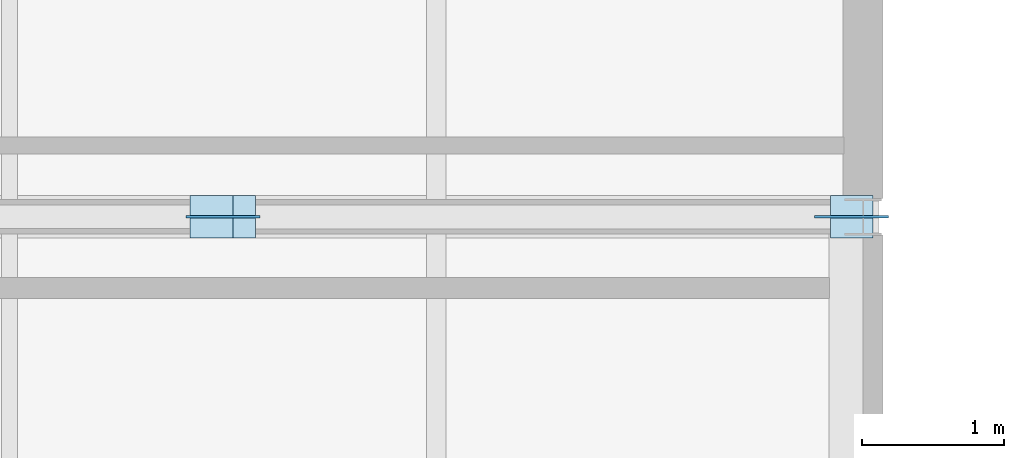
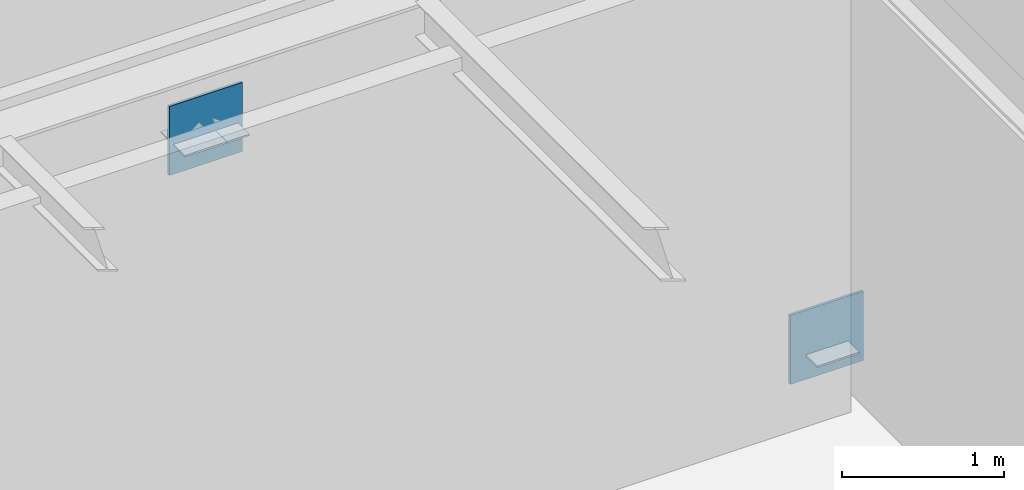
# One storey, part 10 of 16: 5 plates.
"""IFC4 building model written with IfcOpenShell, lengths in metres."""

from ifc_helpers import new_model, si_unit, direction, frame, origin, origin_2d, place, context, subcontext, project, spatial, rectangle, extrude, material, layer, layer_set, type_object, element, save


model = new_model("IFC4")

# Units and contexts
model_context = context("Model", 3, precision=1e-05, world=origin(), true_north=direction((0.0, 1.0)))
body_context = subcontext(model_context, "Body", "Model", "MODEL_VIEW")
ifc_project = project(units=[si_unit("LENGTHUNIT", "METRE"), si_unit("AREAUNIT", "SQUARE_METRE"), si_unit("VOLUMEUNIT", "CUBIC_METRE"), si_unit("PLANEANGLEUNIT", "RADIAN"), si_unit("MASSUNIT", "GRAM", prefix="KILO")], contexts=[model_context])

# Site, building, storey
site_placement = place(None, origin())
site = spatial("IfcSite", under=ifc_project, at=site_placement, CompositionType="ELEMENT")
building_placement = place(site_placement, origin())
building = spatial("IfcBuilding", under=site, at=building_placement, Name="Montelvaro Courts of Justice", CompositionType="ELEMENT")
storey_placement = place(building_placement, frame((0.0, 0.0, 35.39990234375)))
storey = spatial("IfcBuildingStorey", under=building, at=storey_placement, Name="L08", CompositionType="ELEMENT", Elevation=35.39990234375)

# Plates
ifc_material = material(Name="Steel S355", Category="steel")
ifc_layer_1 = layer(ifc_material, 0.011962890625)
ifc_layer_set_1 = layer_set([ifc_layer_1], Name="Steel S355")
plate_type_1 = type_object("IfcPlateType", Name="EndCapPlate_12", PredefinedType="USERDEFINED", material=ifc_layer_set_1)
for number, where, z_axis, x_axis, name in (
    (1, (121.419921875, 12.0, 3.23388671875), (0.0, 0.0, 1.0), (1.0, 0.0, 0.0), "Brace End Cap Plate CP-01 CBF2-L08-1B"),
    (2, (125.919921875, 12.0, 0.07421875), (0.0, 0.0, 1.0), (1.0, 0.0, 0.0), "Brace End Cap Plate CP-01 CBF2-L08-2A"),
    (3, (121.580078125, 12.0, 3.23388671875), (0.0, 0.0, 1.0), (1.0, 0.0, 0.0), "Brace End Cap Plate CP-01 CBF2-L08-2B"),
):
    element("IfcPlate", number, at=place(storey_placement, frame(where, z_axis=z_axis, x_axis=x_axis)), inside=storey, type_object=plate_type_1, Name=name, ObjectType="GUSSET PLATE", PredefinedType="USERDEFINED", context=body_context, shape_type="SweptSolid", body=[
        extrude(rectangle(XDim=0.300048828125, YDim=0.300048828125, at=origin_2d()), origin(), (0.0, 0.0, 1.0), 0.011962890625),
    ])
ifc_layer_2 = layer(ifc_material, 0.02001953125)
ifc_layer_set_2 = layer_set([ifc_layer_2], Name="Steel S355")
plate_type_2 = type_object("IfcPlateType", Name="GussetPlate_20", PredefinedType="USERDEFINED", material=ifc_layer_set_2)
for number, where, z_axis, x_axis, name in (
    (4, (125.919921875, 12.0, -0.099853515625), (0.0, 0.0, 1.0), (1.0, 0.0, 0.0), "Chevron Brace Base Gusset Plate GP-01 CBF2-L08-B2"),
    (5, (121.5, 12.0, 3.02001953125), (0.0, 0.0, 1.0), (1.0, 0.0, 0.0), "Chevron Brace Gusset Plate GP-01 CBF2-L08"),
):
    element("IfcPlate", number, at=place(storey_placement, frame(where, z_axis=z_axis, x_axis=x_axis)), inside=storey, type_object=plate_type_2, Name=name, ObjectType="GUSSET PLATE", PredefinedType="USERDEFINED", context=body_context, shape_type="SweptSolid", body=[
        extrude(rectangle(XDim=0.52001953125, YDim=0.02001953125, at=origin_2d()), origin(), (0.0, 0.0, 1.0), 0.52001953125),
    ])

save(model, "model.ifc")
